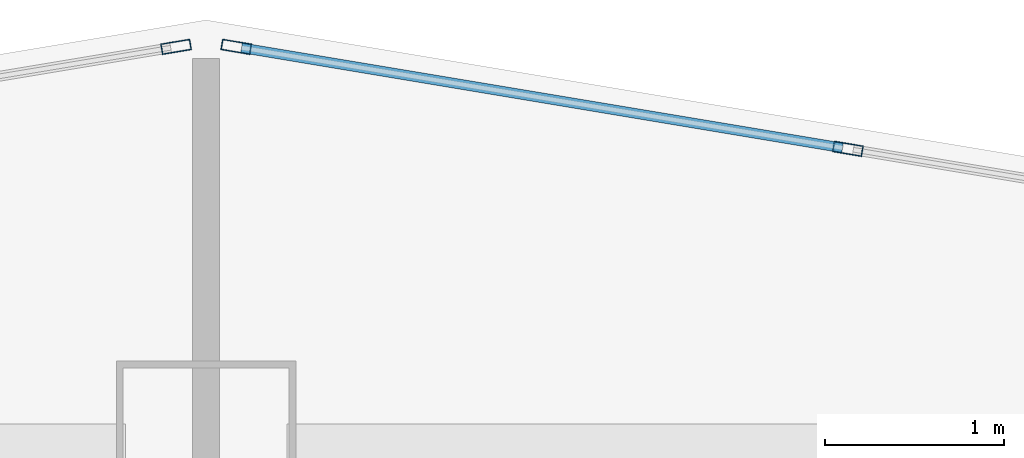
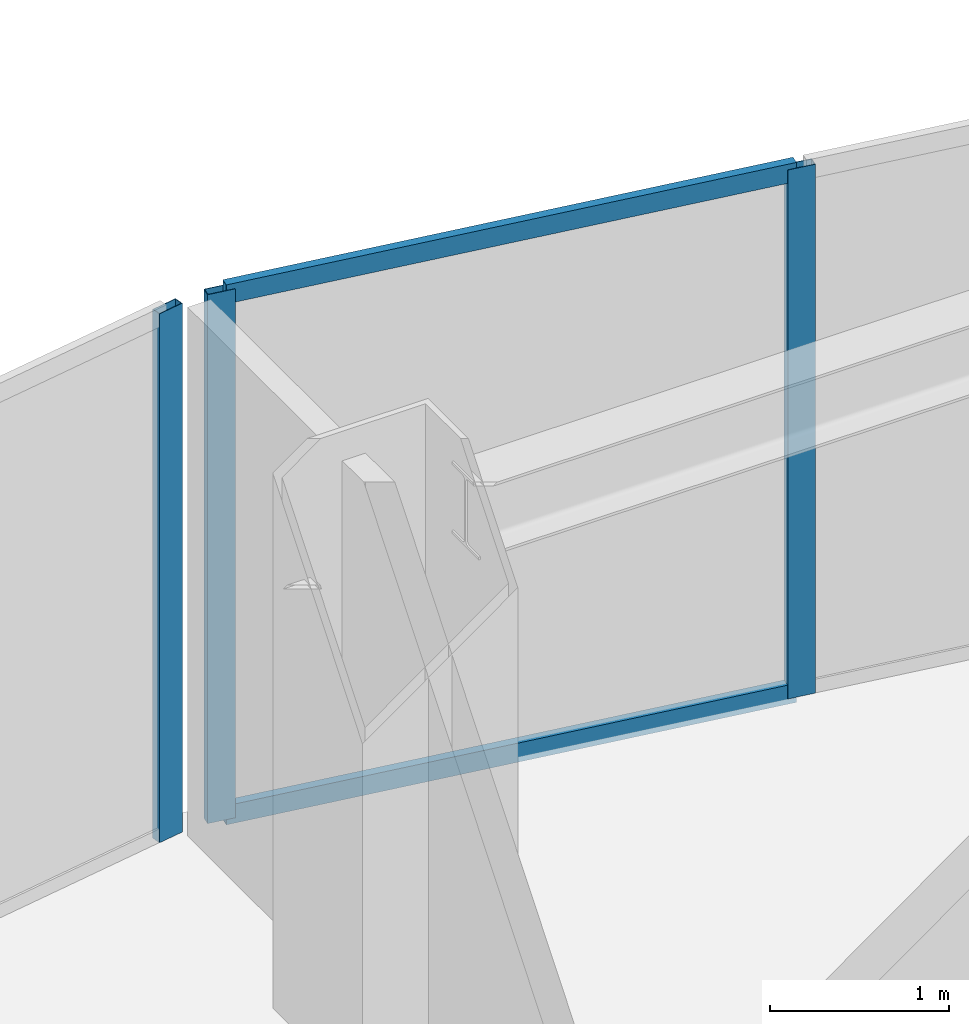
# One storey, part 4 of 17: 5 members, 2 elements without a shape of their own.
"""IFC4 building model written with IfcOpenShell, lengths in metres."""

from ifc_helpers import new_model, si_unit, direction, frame, origin, origin_2d, place, context, subcontext, project, spatial, hollow_rectangle, extrude, material, layer, layer_set, material_profile, profile_set, type_object, element, aggregate, save


model = new_model("IFC4")

# Units and contexts
model_context = context("Model", 3, precision=1e-05, world=origin(), true_north=direction((0.0, 1.0)))
body_context = subcontext(model_context, "Body", "Model", "MODEL_VIEW")
ifc_project = project(units=[si_unit("LENGTHUNIT", "METRE"), si_unit("AREAUNIT", "SQUARE_METRE"), si_unit("VOLUMEUNIT", "CUBIC_METRE"), si_unit("PLANEANGLEUNIT", "RADIAN"), si_unit("MASSUNIT", "GRAM", prefix="KILO")], contexts=[model_context])

# Site, building, storey
site_placement = place(None, origin())
site = spatial("IfcSite", under=ifc_project, at=site_placement, CompositionType="ELEMENT")
building_placement = place(site_placement, origin())
building = spatial("IfcBuilding", under=site, at=building_placement, Name="Haolan Belvedere Tower", CompositionType="ELEMENT")
storey_placement = place(building_placement, frame((0.0, 0.0, 27.800048828125)))
storey = spatial("IfcBuildingStorey", under=building, at=storey_placement, Name="L06", CompositionType="ELEMENT", Elevation=27.800048828125)

# Curtain wall, members
ifc_material_1 = material(Name="Anodised champagne-silver aluminium 6063-T6 and Low-E glass", Category="aluminium")
ifc_layer = layer(ifc_material_1, 0.1650390625, Name="Anodised champagne-silver aluminium 6063-T6 and Low-E glass")
ifc_layer_set = layer_set([ifc_layer], Name="Anodised champagne-silver aluminium 6063-T6 and Low-E glass")
curtain_wall_type = type_object("IfcCurtainWallType", Name="CW-SYS-02", PredefinedType="NOTDEFINED", material=ifc_layer_set)
curtain_wall_1_placement = place(storey_placement, origin())
curtain_wall_1 = element("IfcCurtainWall", 1, at=curtain_wall_1_placement, inside=storey, type_object=curtain_wall_type, Name="L06 CW-SYS-02 ribbon curtain wall 42.1", PredefinedType="NOTDEFINED")
ifc_material_2 = material(Name="Anodised aluminium 6063-T6", Category="aluminium")
ifc_material_profile_1 = material_profile(ifc_material_2, hollow_rectangle(XDim=0.06005859375, YDim=0.1650390625, WallThickness=0.00390625, at=origin_2d()), Name="Anodised aluminium 6063-T6")
ifc_profile_set_1 = profile_set([ifc_material_profile_1], Name="Anodised aluminium 6063-T6")
member_type_1 = type_object("IfcMemberType", Name="CW-SYS-02-MUL", PredefinedType="MULLION", material=ifc_profile_set_1)
member_1_placement = place(storey_placement, frame((41.9755859375, 52.082275390625, 0.0), z_axis=(0.0, 0.0, 1.0), x_axis=(-0.16440364043, -0.9863931483, 0.0)))
member_1 = element("IfcMember", 2, at=member_1_placement, type_object=member_type_1, Name="CW-02 mullion 2", PredefinedType="MULLION", context=body_context, shape_type="SweptSolid", body=[
    extrude(hollow_rectangle(XDim=0.06005859375, YDim=0.1650390625, WallThickness=0.00390625, at=origin_2d()), origin(), (0.0, 0.0, 1.0), 3.599853515625),
])
member_2_placement = place(storey_placement, frame((38.567626953125, 52.650390625, 0.0), z_axis=(0.0, 0.0, 1.0), x_axis=(-0.16440364043, -0.9863931483, 0.0)))
member_2 = element("IfcMember", 3, at=member_2_placement, type_object=member_type_1, Name="CW-02 mullion 3", PredefinedType="MULLION", context=body_context, shape_type="SweptSolid", body=[
    extrude(hollow_rectangle(XDim=0.06005859375, YDim=0.1650390625, WallThickness=0.00390625, at=origin_2d()), origin(), (0.0, 0.0, 1.0), 3.599853515625),
])

# Curtain wall, member
curtain_wall_2_placement = place(storey_placement, origin())
curtain_wall_2 = element("IfcCurtainWall", 4, at=curtain_wall_2_placement, inside=storey, type_object=curtain_wall_type, Name="L06 CW-SYS-02 ribbon curtain wall 43.1", PredefinedType="NOTDEFINED")
member_3_placement = place(storey_placement, frame((38.232421875, 52.650390625, 0.0), z_axis=(0.0, 0.0, 1.0), x_axis=(0.16440364043, -0.9863931483, 0.0)))
member_3 = element("IfcMember", 5, at=member_3_placement, type_object=member_type_1, Name="CW-02 mullion 1", PredefinedType="MULLION", context=body_context, shape_type="SweptSolid", body=[
    extrude(hollow_rectangle(XDim=0.06005859375, YDim=0.1650390625, WallThickness=0.00390625, at=origin_2d()), origin(), (0.0, 0.0, 1.0), 3.599853515625),
])
aggregate(curtain_wall_2, [member_3])

# Member
ifc_material_profile_2 = material_profile(ifc_material_2, hollow_rectangle(XDim=0.054931640625, YDim=0.1298828125, WallThickness=0.00390625, at=origin_2d()), Name="Anodised aluminium 6063-T6")
ifc_profile_set_2 = profile_set([ifc_material_profile_2], Name="Anodised aluminium 6063-T6")
member_type_2 = type_object("IfcMemberType", Name="CW-SYS-02-TRN", PredefinedType="USERDEFINED", material=ifc_profile_set_2)
member_4_placement = place(storey_placement, frame((41.946044921875, 52.08740234375, 0.02734375), z_axis=(-0.986395867289, 0.164387326137, 0.0), x_axis=(-0.164387326137, -0.986395867289, 0.0)))
member_4 = element("IfcMember", 6, at=member_4_placement, type_object=member_type_2, Name="CW-02 transom 2.1", ObjectType="TRANSOM", PredefinedType="USERDEFINED", context=body_context, shape_type="SweptSolid", body=[
    extrude(hollow_rectangle(XDim=0.054931640625, YDim=0.1298828125, WallThickness=0.00390625, at=origin_2d()), origin(), (0.0, 0.0, 1.0), 3.39501953125),
])

member_5_placement = place(storey_placement, frame((41.946044921875, 52.08740234375, 3.572509765625), z_axis=(-0.986395867289, 0.164387326137, 0.0), x_axis=(-0.164387326137, -0.986395867289, 0.0)))
member_5 = element("IfcMember", 7, at=member_5_placement, type_object=member_type_2, Name="CW-02 transom 2.2", ObjectType="TRANSOM", PredefinedType="USERDEFINED", context=body_context, shape_type="SweptSolid", body=[
    extrude(hollow_rectangle(XDim=0.054931640625, YDim=0.1298828125, WallThickness=0.00390625, at=origin_2d()), origin(), (0.0, 0.0, 1.0), 3.39501953125),
])

aggregate(curtain_wall_1, [member_1, member_2, member_4, member_5])

save(model, "model.ifc")
